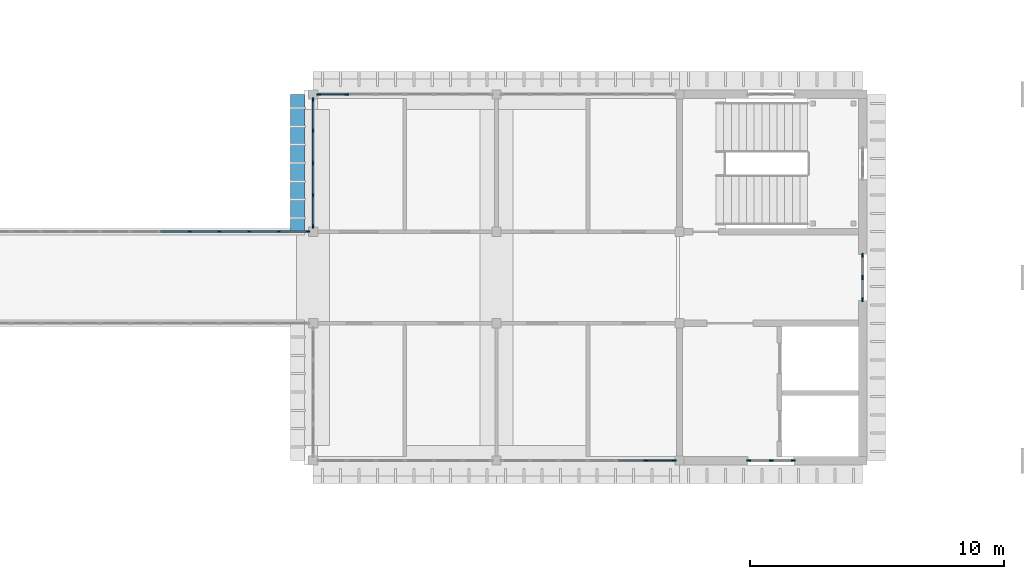
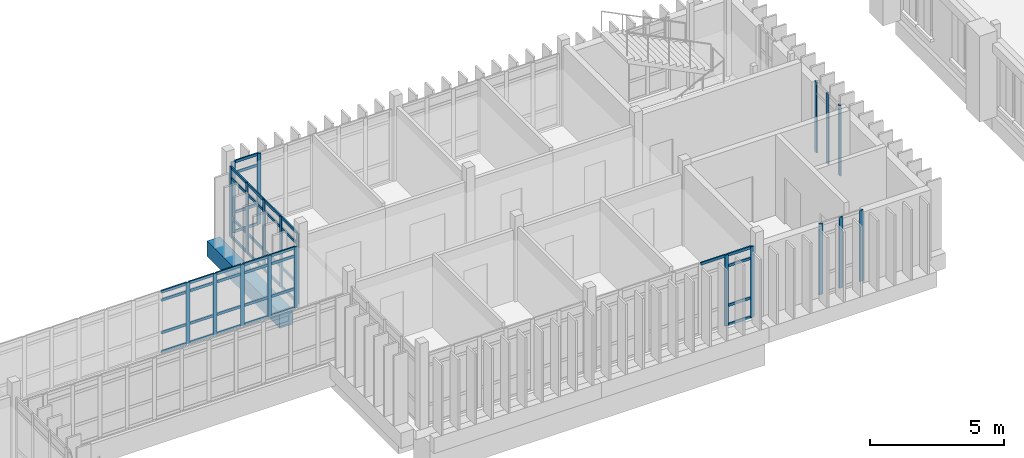
# One storey, part 17 of 69: 66 members, 6 elements without a shape of their own.
"""IFC4 building model written with IfcOpenShell, lengths in metres."""

from ifc_helpers import new_model, si_unit, direction, frame, origin, origin_2d, place, context, subcontext, project, spatial, rectangle, extrude, material, layer, layer_set, material_profile, profile_set, type_object, element, aggregate, save


model = new_model("IFC4")

# Units and contexts
model_context = context("Model", 3, precision=1e-05, world=origin(), true_north=direction((0.0, 1.0)))
body_context = subcontext(model_context, "Body", "Model", "MODEL_VIEW")
ifc_project = project(units=[si_unit("LENGTHUNIT", "METRE"), si_unit("AREAUNIT", "SQUARE_METRE"), si_unit("VOLUMEUNIT", "CUBIC_METRE"), si_unit("PLANEANGLEUNIT", "RADIAN"), si_unit("MASSUNIT", "GRAM", prefix="KILO")], contexts=[model_context])

# Site, building, storey
site_placement = place(None, origin())
site = spatial("IfcSite", under=ifc_project, at=site_placement, CompositionType="ELEMENT")
building_placement = place(site_placement, origin())
building = spatial("IfcBuilding", under=site, at=building_placement, Name="Mazhai Court Health Centre", CompositionType="ELEMENT")
storey_placement = place(building_placement, frame((0.0, 0.0, 6.300048828125)))
storey = spatial("IfcBuildingStorey", under=building, at=storey_placement, Name="L01", CompositionType="ELEMENT", Elevation=6.300048828125)

# Curtain wall, members
ifc_material_1 = material(Name="Teak timber frame, glazed", Category="wood")
ifc_layer_1 = layer(ifc_material_1, 0.10009765625)
ifc_layer_set_1 = layer_set([ifc_layer_1], Name="CURTAIN WALL TIMBER 900")
curtain_wall_type_1 = type_object("IfcCurtainWallType", Name="CURTAIN WALL TIMBER 900", PredefinedType="NOTDEFINED", material=ifc_layer_set_1)
curtain_wall_1_placement = place(storey_placement, origin())
curtain_wall_1 = element("IfcCurtainWall", 1, at=curtain_wall_1_placement, inside=storey, type_object=curtain_wall_type_1, Name="CW-V4-L01-A7", PredefinedType="NOTDEFINED")
ifc_material_2 = material(Name="Teak timber", Category="wood")
ifc_material_profile_1 = material_profile(ifc_material_2, rectangle(XDim=0.06005859375, YDim=0.159912109375, at=origin_2d()), Name="CW MULLION 60x160")
ifc_profile_set_1 = profile_set([ifc_material_profile_1], Name="Teak timber")
member_type_1 = type_object("IfcMemberType", Name="CW MULLION 60x160", PredefinedType="MULLION", material=ifc_profile_set_1)
member_1_placement = place(storey_placement, frame((125.8701171875, 13.39990234375, 0.0), z_axis=(0.0, 0.0, 1.0), x_axis=(0.0, -1.0, 0.0)))
member_1 = element("IfcMember", 2, at=member_1_placement, type_object=member_type_1, Name="CW mullion 1", PredefinedType="MULLION", context=body_context, shape_type="SweptSolid", body=[
    extrude(rectangle(XDim=0.06005859375, YDim=0.159912109375, at=origin_2d()), origin(), (0.0, 0.0, 1.0), 3.219970703125),
])
member_2_placement = place(storey_placement, frame((125.0, 13.39990234375, 0.0), z_axis=(0.0, 0.0, 1.0), x_axis=(0.0, -1.0, 0.0)))
member_2 = element("IfcMember", 3, at=member_2_placement, type_object=member_type_1, Name="CW mullion 2", PredefinedType="MULLION", context=body_context, shape_type="SweptSolid", body=[
    extrude(rectangle(XDim=0.06005859375, YDim=0.159912109375, at=origin_2d()), origin(), (0.0, 0.0, 1.0), 3.219970703125),
])
member_3_placement = place(storey_placement, frame((124.1298828125, 13.39990234375, 0.0), z_axis=(0.0, 0.0, 1.0), x_axis=(0.0, -1.0, 0.0)))
member_3 = element("IfcMember", 4, at=member_3_placement, type_object=member_type_1, Name="CW mullion 3", PredefinedType="MULLION", context=body_context, shape_type="SweptSolid", body=[
    extrude(rectangle(XDim=0.06005859375, YDim=0.159912109375, at=origin_2d()), origin(), (0.0, 0.0, 1.0), 3.219970703125),
])
aggregate(curtain_wall_1, [member_1, member_2, member_3])

curtain_wall_2_placement = place(storey_placement, origin())
curtain_wall_2 = element("IfcCurtainWall", 5, at=curtain_wall_2_placement, inside=storey, type_object=curtain_wall_type_1, Name="CW-V4-L01-ELIFT0", PredefinedType="NOTDEFINED")
member_4_placement = place(storey_placement, frame((128.60009765625, 21.469970703125, 0.0), z_axis=(0.0, 0.0, 1.0), x_axis=(1.0, 0.0, 0.0)))
member_4 = element("IfcMember", 6, at=member_4_placement, type_object=member_type_1, Name="CW mullion 1", PredefinedType="MULLION", context=body_context, shape_type="SweptSolid", body=[
    extrude(rectangle(XDim=0.06005859375, YDim=0.159912109375, at=origin_2d()), origin(), (0.0, 0.0, 1.0), 3.199951171875),
])
member_5_placement = place(storey_placement, frame((128.60009765625, 20.60009765625, 0.0), z_axis=(0.0, 0.0, 1.0), x_axis=(1.0, 0.0, 0.0)))
member_5 = element("IfcMember", 7, at=member_5_placement, type_object=member_type_1, Name="CW mullion 2", PredefinedType="MULLION", context=body_context, shape_type="SweptSolid", body=[
    extrude(rectangle(XDim=0.06005859375, YDim=0.159912109375, at=origin_2d()), origin(), (0.0, 0.0, 1.0), 3.199951171875),
])
member_6_placement = place(storey_placement, frame((128.60009765625, 19.72998046875, 0.0), z_axis=(0.0, 0.0, 1.0), x_axis=(1.0, 0.0, 0.0)))
member_6 = element("IfcMember", 8, at=member_6_placement, type_object=member_type_1, Name="CW mullion 3", PredefinedType="MULLION", context=body_context, shape_type="SweptSolid", body=[
    extrude(rectangle(XDim=0.06005859375, YDim=0.159912109375, at=origin_2d()), origin(), (0.0, 0.0, 1.0), 3.199951171875),
])
aggregate(curtain_wall_2, [member_4, member_5, member_6])

ifc_material_3 = material(Name="Teak timber frame, glazed", Category="wood")
ifc_layer_2 = layer(ifc_material_3, 0.10009765625)
ifc_layer_set_2 = layer_set([ifc_layer_2], Name="CURTAIN WALL TIMBER 1200")
curtain_wall_type_2 = type_object("IfcCurtainWallType", Name="CURTAIN WALL TIMBER 1200", PredefinedType="NOTDEFINED", material=ifc_layer_set_2)
curtain_wall_3_placement = place(storey_placement, origin())
curtain_wall_3 = element("IfcCurtainWall", 9, at=curtain_wall_3_placement, inside=storey, type_object=curtain_wall_type_2, Name="CW-V4-L01-A6", PredefinedType="NOTDEFINED")
member_7_placement = place(storey_placement, frame((121.18994140625, 13.39990234375, 0.0), z_axis=(0.0, 0.0, 1.0), x_axis=(0.0, -1.0, 0.0)))
member_7 = element("IfcMember", 10, at=member_7_placement, type_object=member_type_1, Name="CW mullion 1", PredefinedType="MULLION", context=body_context, shape_type="SweptSolid", body=[
    extrude(rectangle(XDim=0.06005859375, YDim=0.159912109375, at=origin_2d()), origin(), (0.0, 0.0, 1.0), 3.219970703125),
])
member_8_placement = place(storey_placement, frame((120.080078125, 13.39990234375, 0.0), z_axis=(0.0, 0.0, 1.0), x_axis=(0.0, -1.0, 0.0)))
member_8 = element("IfcMember", 11, at=member_8_placement, type_object=member_type_1, Name="CW mullion 2", PredefinedType="MULLION", context=body_context, shape_type="SweptSolid", body=[
    extrude(rectangle(XDim=0.06005859375, YDim=0.159912109375, at=origin_2d()), origin(), (0.0, 0.0, 1.0), 3.219970703125),
])

curtain_wall_4_placement = place(storey_placement, origin())
curtain_wall_4 = element("IfcCurtainWall", 12, at=curtain_wall_4_placement, inside=storey, type_object=curtain_wall_type_2, Name="CW-V4-L01-B5", PredefinedType="NOTDEFINED")
member_9_placement = place(storey_placement, frame((107.2099609375, 27.800048828125, 0.0), z_axis=(0.0, 0.0, 1.0), x_axis=(0.0, 1.0, 0.0)))
member_9 = element("IfcMember", 13, at=member_9_placement, type_object=member_type_1, Name="CW mullion 1", PredefinedType="MULLION", context=body_context, shape_type="SweptSolid", body=[
    extrude(rectangle(XDim=0.06005859375, YDim=0.159912109375, at=origin_2d()), origin(), (0.0, 0.0, 1.0), 3.219970703125),
])
member_10_placement = place(storey_placement, frame((108.320068359375, 27.800048828125, 0.0), z_axis=(0.0, 0.0, 1.0), x_axis=(0.0, 1.0, 0.0)))
member_10 = element("IfcMember", 14, at=member_10_placement, type_object=member_type_1, Name="CW mullion 2", PredefinedType="MULLION", context=body_context, shape_type="SweptSolid", body=[
    extrude(rectangle(XDim=0.06005859375, YDim=0.159912109375, at=origin_2d()), origin(), (0.0, 0.0, 1.0), 3.219970703125),
])

curtain_wall_5_placement = place(storey_placement, origin())
curtain_wall_5 = element("IfcCurtainWall", 15, at=curtain_wall_5_placement, inside=storey, type_object=curtain_wall_type_2, Name="CW-V4-L01-CW5-1", PredefinedType="NOTDEFINED")
member_11_placement = place(storey_placement, frame((107.0, 22.610107421875, 0.0), z_axis=(0.0, 0.0, 1.0), x_axis=(-1.0, 0.0, 0.0)))
member_11 = element("IfcMember", 16, at=member_11_placement, type_object=member_type_1, Name="CW mullion 1", PredefinedType="MULLION", context=body_context, shape_type="SweptSolid", body=[
    extrude(rectangle(XDim=0.06005859375, YDim=0.159912109375, at=origin_2d()), origin(), (0.0, 0.0, 1.0), 3.199951171875),
])
member_12_placement = place(storey_placement, frame((107.0, 23.840087890625, 0.0), z_axis=(0.0, 0.0, 1.0), x_axis=(-1.0, 0.0, 0.0)))
member_12 = element("IfcMember", 17, at=member_12_placement, type_object=member_type_1, Name="CW mullion 2", PredefinedType="MULLION", context=body_context, shape_type="SweptSolid", body=[
    extrude(rectangle(XDim=0.06005859375, YDim=0.159912109375, at=origin_2d()), origin(), (0.0, 0.0, 1.0), 3.199951171875),
])
member_13_placement = place(storey_placement, frame((107.0, 25.10009765625, 0.0), z_axis=(0.0, 0.0, 1.0), x_axis=(-1.0, 0.0, 0.0)))
member_13 = element("IfcMember", 18, at=member_13_placement, type_object=member_type_1, Name="CW mullion 3", PredefinedType="MULLION", context=body_context, shape_type="SweptSolid", body=[
    extrude(rectangle(XDim=0.06005859375, YDim=0.159912109375, at=origin_2d()), origin(), (0.0, 0.0, 1.0), 3.199951171875),
])
member_14_placement = place(storey_placement, frame((107.0, 26.360107421875, 0.0), z_axis=(0.0, 0.0, 1.0), x_axis=(-1.0, 0.0, 0.0)))
member_14 = element("IfcMember", 19, at=member_14_placement, type_object=member_type_1, Name="CW mullion 4", PredefinedType="MULLION", context=body_context, shape_type="SweptSolid", body=[
    extrude(rectangle(XDim=0.06005859375, YDim=0.159912109375, at=origin_2d()), origin(), (0.0, 0.0, 1.0), 3.199951171875),
])
member_15_placement = place(storey_placement, frame((107.0, 27.590087890625, 0.0), z_axis=(0.0, 0.0, 1.0), x_axis=(-1.0, 0.0, 0.0)))
member_15 = element("IfcMember", 20, at=member_15_placement, type_object=member_type_1, Name="CW mullion 5", PredefinedType="MULLION", context=body_context, shape_type="SweptSolid", body=[
    extrude(rectangle(XDim=0.06005859375, YDim=0.159912109375, at=origin_2d()), origin(), (0.0, 0.0, 1.0), 3.199951171875),
])

curtain_wall_6_placement = place(storey_placement, origin())
curtain_wall_6 = element("IfcCurtainWall", 21, at=curtain_wall_6_placement, inside=storey, type_object=curtain_wall_type_2, Name="CW-BR-LC1-N", PredefinedType="NOTDEFINED")
member_16_placement = place(storey_placement, frame((102.139892578125, 22.39990234375, 0.0), z_axis=(0.0, 0.0, 1.0), x_axis=(0.0, 1.0, 0.0)))
member_16 = element("IfcMember", 22, at=member_16_placement, type_object=member_type_1, Name="CW mullion 9", PredefinedType="MULLION", context=body_context, shape_type="SweptSolid", body=[
    extrude(rectangle(XDim=0.06005859375, YDim=0.159912109375, at=origin_2d()), origin(), (0.0, 0.0, 1.0), 2.780029296875),
])
member_17_placement = place(storey_placement, frame((103.31005859375, 22.39990234375, 0.0), z_axis=(0.0, 0.0, 1.0), x_axis=(0.0, 1.0, 0.0)))
member_17 = element("IfcMember", 23, at=member_17_placement, type_object=member_type_1, Name="CW mullion 10", PredefinedType="MULLION", context=body_context, shape_type="SweptSolid", body=[
    extrude(rectangle(XDim=0.06005859375, YDim=0.159912109375, at=origin_2d()), origin(), (0.0, 0.0, 1.0), 2.780029296875),
])
member_18_placement = place(storey_placement, frame((104.47998046875, 22.39990234375, 0.0), z_axis=(0.0, 0.0, 1.0), x_axis=(0.0, 1.0, 0.0)))
member_18 = element("IfcMember", 24, at=member_18_placement, type_object=member_type_1, Name="CW mullion 11", PredefinedType="MULLION", context=body_context, shape_type="SweptSolid", body=[
    extrude(rectangle(XDim=0.06005859375, YDim=0.159912109375, at=origin_2d()), origin(), (0.0, 0.0, 1.0), 2.780029296875),
])
member_19_placement = place(storey_placement, frame((105.64990234375, 22.39990234375, 0.0), z_axis=(0.0, 0.0, 1.0), x_axis=(0.0, 1.0, 0.0)))
member_19 = element("IfcMember", 25, at=member_19_placement, type_object=member_type_1, Name="CW mullion 12", PredefinedType="MULLION", context=body_context, shape_type="SweptSolid", body=[
    extrude(rectangle(XDim=0.06005859375, YDim=0.159912109375, at=origin_2d()), origin(), (0.0, 0.0, 1.0), 2.780029296875),
])
member_20_placement = place(storey_placement, frame((106.7900390625, 22.39990234375, 0.0), z_axis=(0.0, 0.0, 1.0), x_axis=(0.0, 1.0, 0.0)))
member_20 = element("IfcMember", 26, at=member_20_placement, type_object=member_type_1, Name="CW mullion 13", PredefinedType="MULLION", context=body_context, shape_type="SweptSolid", body=[
    extrude(rectangle(XDim=0.06005859375, YDim=0.159912109375, at=origin_2d()), origin(), (0.0, 0.0, 1.0), 2.780029296875),
])

# Member
ifc_material_4 = material(Name="Teak timber", Category="wood")
ifc_material_profile_2 = material_profile(ifc_material_4, rectangle(XDim=0.06005859375, YDim=0.1201171875, at=origin_2d()), Name="CW TRANSOM 60x120")
ifc_profile_set_2 = profile_set([ifc_material_profile_2], Name="Teak timber")
member_type_2 = type_object("IfcMemberType", Name="CW TRANSOM 60x120", PredefinedType="USERDEFINED", material=ifc_profile_set_2)
member_21_placement = place(storey_placement, frame((121.159912109375, 13.39990234375, 0.030029296875), z_axis=(-1.0, 0.0, 0.0), x_axis=(0.0, -1.0, 0.0)))
member_21 = element("IfcMember", 27, at=member_21_placement, type_object=member_type_2, Name="CW transom 1.1", ObjectType="TRANSOM", PredefinedType="USERDEFINED", context=body_context, shape_type="SweptSolid", body=[
    extrude(rectangle(XDim=0.06005859375, YDim=0.1201171875, at=origin_2d()), origin(), (0.0, 0.0, 1.0), 1.0498046875),
])

member_22_placement = place(storey_placement, frame((121.159912109375, 13.39990234375, 0.89990234375), z_axis=(-1.0, 0.0, 0.0), x_axis=(0.0, -1.0, 0.0)))
member_22 = element("IfcMember", 28, at=member_22_placement, type_object=member_type_2, Name="CW transom 1.2", ObjectType="TRANSOM", PredefinedType="USERDEFINED", context=body_context, shape_type="SweptSolid", body=[
    extrude(rectangle(XDim=0.06005859375, YDim=0.1201171875, at=origin_2d()), origin(), (0.0, 0.0, 1.0), 1.0498046875),
])

member_23_placement = place(storey_placement, frame((121.159912109375, 13.39990234375, 2.699951171875), z_axis=(-1.0, 0.0, 0.0), x_axis=(0.0, -1.0, 0.0)))
member_23 = element("IfcMember", 29, at=member_23_placement, type_object=member_type_2, Name="CW transom 1.3", ObjectType="TRANSOM", PredefinedType="USERDEFINED", context=body_context, shape_type="SweptSolid", body=[
    extrude(rectangle(XDim=0.06005859375, YDim=0.1201171875, at=origin_2d()), origin(), (0.0, 0.0, 1.0), 1.0498046875),
])

member_24_placement = place(storey_placement, frame((121.159912109375, 13.39990234375, 3.18994140625), z_axis=(-1.0, 0.0, 0.0), x_axis=(0.0, -1.0, 0.0)))
member_24 = element("IfcMember", 30, at=member_24_placement, type_object=member_type_2, Name="CW transom 1.4", ObjectType="TRANSOM", PredefinedType="USERDEFINED", context=body_context, shape_type="SweptSolid", body=[
    extrude(rectangle(XDim=0.06005859375, YDim=0.1201171875, at=origin_2d()), origin(), (0.0, 0.0, 1.0), 1.0498046875),
])

member_25_placement = place(storey_placement, frame((120.050048828125, 13.39990234375, 3.18994140625), z_axis=(-1.0, 0.0, 0.0), x_axis=(0.0, -1.0, 0.0)))
member_25 = element("IfcMember", 31, at=member_25_placement, type_object=member_type_2, Name="CW transom 2.4", ObjectType="TRANSOM", PredefinedType="USERDEFINED", context=body_context, shape_type="SweptSolid", body=[
    extrude(rectangle(XDim=0.06005859375, YDim=0.1201171875, at=origin_2d()), origin(), (0.0, 0.0, 1.0), 1.080078125),
])

aggregate(curtain_wall_3, [member_7, member_8, member_21, member_22, member_23, member_24, member_25])

member_26_placement = place(storey_placement, frame((107.239990234375, 27.800048828125, 0.030029296875), z_axis=(1.0, 0.0, 0.0), x_axis=(0.0, 1.0, 0.0)))
member_26 = element("IfcMember", 32, at=member_26_placement, type_object=member_type_2, Name="CW transom 1.1", ObjectType="TRANSOM", PredefinedType="USERDEFINED", context=body_context, shape_type="SweptSolid", body=[
    extrude(rectangle(XDim=0.06005859375, YDim=0.1201171875, at=origin_2d()), origin(), (0.0, 0.0, 1.0), 1.050048828125),
])

member_27_placement = place(storey_placement, frame((107.239990234375, 27.800048828125, 0.89990234375), z_axis=(1.0, 0.0, 0.0), x_axis=(0.0, 1.0, 0.0)))
member_27 = element("IfcMember", 33, at=member_27_placement, type_object=member_type_2, Name="CW transom 1.2", ObjectType="TRANSOM", PredefinedType="USERDEFINED", context=body_context, shape_type="SweptSolid", body=[
    extrude(rectangle(XDim=0.06005859375, YDim=0.1201171875, at=origin_2d()), origin(), (0.0, 0.0, 1.0), 1.050048828125),
])

member_28_placement = place(storey_placement, frame((107.239990234375, 27.800048828125, 2.699951171875), z_axis=(1.0, 0.0, 0.0), x_axis=(0.0, 1.0, 0.0)))
member_28 = element("IfcMember", 34, at=member_28_placement, type_object=member_type_2, Name="CW transom 1.3", ObjectType="TRANSOM", PredefinedType="USERDEFINED", context=body_context, shape_type="SweptSolid", body=[
    extrude(rectangle(XDim=0.06005859375, YDim=0.1201171875, at=origin_2d()), origin(), (0.0, 0.0, 1.0), 1.050048828125),
])

member_29_placement = place(storey_placement, frame((107.239990234375, 27.800048828125, 3.18994140625), z_axis=(1.0, 0.0, 0.0), x_axis=(0.0, 1.0, 0.0)))
member_29 = element("IfcMember", 35, at=member_29_placement, type_object=member_type_2, Name="CW transom 1.4", ObjectType="TRANSOM", PredefinedType="USERDEFINED", context=body_context, shape_type="SweptSolid", body=[
    extrude(rectangle(XDim=0.06005859375, YDim=0.1201171875, at=origin_2d()), origin(), (0.0, 0.0, 1.0), 1.050048828125),
])

aggregate(curtain_wall_4, [member_9, member_10, member_26, member_27, member_28, member_29])

member_30_placement = place(storey_placement, frame((107.0, 22.639892578125, 0.030029296875), z_axis=(0.0, 1.0, 0.0), x_axis=(-1.0, 0.0, 0.0)))
member_30 = element("IfcMember", 36, at=member_30_placement, type_object=member_type_2, Name="CW transom 1.1", ObjectType="TRANSOM", PredefinedType="USERDEFINED", context=body_context, shape_type="SweptSolid", body=[
    extrude(rectangle(XDim=0.06005859375, YDim=0.1201171875, at=origin_2d()), origin(), (0.0, 0.0, 1.0), 1.170166015625),
])

member_31_placement = place(storey_placement, frame((107.0, 22.639892578125, 0.89990234375), z_axis=(0.0, 1.0, 0.0), x_axis=(-1.0, 0.0, 0.0)))
member_31 = element("IfcMember", 37, at=member_31_placement, type_object=member_type_2, Name="CW transom 1.2", ObjectType="TRANSOM", PredefinedType="USERDEFINED", context=body_context, shape_type="SweptSolid", body=[
    extrude(rectangle(XDim=0.06005859375, YDim=0.1201171875, at=origin_2d()), origin(), (0.0, 0.0, 1.0), 1.170166015625),
])

member_32_placement = place(storey_placement, frame((107.0, 22.639892578125, 2.699951171875), z_axis=(0.0, 1.0, 0.0), x_axis=(-1.0, 0.0, 0.0)))
member_32 = element("IfcMember", 38, at=member_32_placement, type_object=member_type_2, Name="CW transom 1.3", ObjectType="TRANSOM", PredefinedType="USERDEFINED", context=body_context, shape_type="SweptSolid", body=[
    extrude(rectangle(XDim=0.06005859375, YDim=0.1201171875, at=origin_2d()), origin(), (0.0, 0.0, 1.0), 1.170166015625),
])

member_33_placement = place(storey_placement, frame((107.0, 22.639892578125, 3.169921875), z_axis=(0.0, 1.0, 0.0), x_axis=(-1.0, 0.0, 0.0)))
member_33 = element("IfcMember", 39, at=member_33_placement, type_object=member_type_2, Name="CW transom 1.4", ObjectType="TRANSOM", PredefinedType="USERDEFINED", context=body_context, shape_type="SweptSolid", body=[
    extrude(rectangle(XDim=0.06005859375, YDim=0.1201171875, at=origin_2d()), origin(), (0.0, 0.0, 1.0), 1.170166015625),
])

member_34_placement = place(storey_placement, frame((107.0, 23.8701171875, 0.030029296875), z_axis=(0.0, 1.0, 0.0), x_axis=(-1.0, 0.0, 0.0)))
member_34 = element("IfcMember", 40, at=member_34_placement, type_object=member_type_2, Name="CW transom 2.1", ObjectType="TRANSOM", PredefinedType="USERDEFINED", context=body_context, shape_type="SweptSolid", body=[
    extrude(rectangle(XDim=0.06005859375, YDim=0.1201171875, at=origin_2d()), origin(), (0.0, 0.0, 1.0), 1.199951171875),
])

member_35_placement = place(storey_placement, frame((107.0, 23.8701171875, 0.89990234375), z_axis=(0.0, 1.0, 0.0), x_axis=(-1.0, 0.0, 0.0)))
member_35 = element("IfcMember", 41, at=member_35_placement, type_object=member_type_2, Name="CW transom 2.2", ObjectType="TRANSOM", PredefinedType="USERDEFINED", context=body_context, shape_type="SweptSolid", body=[
    extrude(rectangle(XDim=0.06005859375, YDim=0.1201171875, at=origin_2d()), origin(), (0.0, 0.0, 1.0), 1.199951171875),
])

member_36_placement = place(storey_placement, frame((107.0, 23.8701171875, 2.699951171875), z_axis=(0.0, 1.0, 0.0), x_axis=(-1.0, 0.0, 0.0)))
member_36 = element("IfcMember", 42, at=member_36_placement, type_object=member_type_2, Name="CW transom 2.3", ObjectType="TRANSOM", PredefinedType="USERDEFINED", context=body_context, shape_type="SweptSolid", body=[
    extrude(rectangle(XDim=0.06005859375, YDim=0.1201171875, at=origin_2d()), origin(), (0.0, 0.0, 1.0), 1.199951171875),
])

member_37_placement = place(storey_placement, frame((107.0, 23.8701171875, 3.169921875), z_axis=(0.0, 1.0, 0.0), x_axis=(-1.0, 0.0, 0.0)))
member_37 = element("IfcMember", 43, at=member_37_placement, type_object=member_type_2, Name="CW transom 2.4", ObjectType="TRANSOM", PredefinedType="USERDEFINED", context=body_context, shape_type="SweptSolid", body=[
    extrude(rectangle(XDim=0.06005859375, YDim=0.1201171875, at=origin_2d()), origin(), (0.0, 0.0, 1.0), 1.199951171875),
])

member_38_placement = place(storey_placement, frame((107.0, 25.1298828125, 0.030029296875), z_axis=(0.0, 1.0, 0.0), x_axis=(-1.0, 0.0, 0.0)))
member_38 = element("IfcMember", 44, at=member_38_placement, type_object=member_type_2, Name="CW transom 3.1", ObjectType="TRANSOM", PredefinedType="USERDEFINED", context=body_context, shape_type="SweptSolid", body=[
    extrude(rectangle(XDim=0.06005859375, YDim=0.1201171875, at=origin_2d()), origin(), (0.0, 0.0, 1.0), 1.2001953125),
])

member_39_placement = place(storey_placement, frame((107.0, 25.1298828125, 0.89990234375), z_axis=(0.0, 1.0, 0.0), x_axis=(-1.0, 0.0, 0.0)))
member_39 = element("IfcMember", 45, at=member_39_placement, type_object=member_type_2, Name="CW transom 3.2", ObjectType="TRANSOM", PredefinedType="USERDEFINED", context=body_context, shape_type="SweptSolid", body=[
    extrude(rectangle(XDim=0.06005859375, YDim=0.1201171875, at=origin_2d()), origin(), (0.0, 0.0, 1.0), 1.2001953125),
])

member_40_placement = place(storey_placement, frame((107.0, 25.1298828125, 2.699951171875), z_axis=(0.0, 1.0, 0.0), x_axis=(-1.0, 0.0, 0.0)))
member_40 = element("IfcMember", 46, at=member_40_placement, type_object=member_type_2, Name="CW transom 3.3", ObjectType="TRANSOM", PredefinedType="USERDEFINED", context=body_context, shape_type="SweptSolid", body=[
    extrude(rectangle(XDim=0.06005859375, YDim=0.1201171875, at=origin_2d()), origin(), (0.0, 0.0, 1.0), 1.2001953125),
])

member_41_placement = place(storey_placement, frame((107.0, 25.1298828125, 3.169921875), z_axis=(0.0, 1.0, 0.0), x_axis=(-1.0, 0.0, 0.0)))
member_41 = element("IfcMember", 47, at=member_41_placement, type_object=member_type_2, Name="CW transom 3.4", ObjectType="TRANSOM", PredefinedType="USERDEFINED", context=body_context, shape_type="SweptSolid", body=[
    extrude(rectangle(XDim=0.06005859375, YDim=0.1201171875, at=origin_2d()), origin(), (0.0, 0.0, 1.0), 1.2001953125),
])

member_42_placement = place(storey_placement, frame((107.0, 26.389892578125, 0.030029296875), z_axis=(0.0, 1.0, 0.0), x_axis=(-1.0, 0.0, 0.0)))
member_42 = element("IfcMember", 48, at=member_42_placement, type_object=member_type_2, Name="CW transom 4.1", ObjectType="TRANSOM", PredefinedType="USERDEFINED", context=body_context, shape_type="SweptSolid", body=[
    extrude(rectangle(XDim=0.06005859375, YDim=0.1201171875, at=origin_2d()), origin(), (0.0, 0.0, 1.0), 1.170166015625),
])

member_43_placement = place(storey_placement, frame((107.0, 26.389892578125, 0.89990234375), z_axis=(0.0, 1.0, 0.0), x_axis=(-1.0, 0.0, 0.0)))
member_43 = element("IfcMember", 49, at=member_43_placement, type_object=member_type_2, Name="CW transom 4.2", ObjectType="TRANSOM", PredefinedType="USERDEFINED", context=body_context, shape_type="SweptSolid", body=[
    extrude(rectangle(XDim=0.06005859375, YDim=0.1201171875, at=origin_2d()), origin(), (0.0, 0.0, 1.0), 1.170166015625),
])

member_44_placement = place(storey_placement, frame((107.0, 26.389892578125, 2.699951171875), z_axis=(0.0, 1.0, 0.0), x_axis=(-1.0, 0.0, 0.0)))
member_44 = element("IfcMember", 50, at=member_44_placement, type_object=member_type_2, Name="CW transom 4.3", ObjectType="TRANSOM", PredefinedType="USERDEFINED", context=body_context, shape_type="SweptSolid", body=[
    extrude(rectangle(XDim=0.06005859375, YDim=0.1201171875, at=origin_2d()), origin(), (0.0, 0.0, 1.0), 1.170166015625),
])

member_45_placement = place(storey_placement, frame((107.0, 26.389892578125, 3.169921875), z_axis=(0.0, 1.0, 0.0), x_axis=(-1.0, 0.0, 0.0)))
member_45 = element("IfcMember", 51, at=member_45_placement, type_object=member_type_2, Name="CW transom 4.4", ObjectType="TRANSOM", PredefinedType="USERDEFINED", context=body_context, shape_type="SweptSolid", body=[
    extrude(rectangle(XDim=0.06005859375, YDim=0.1201171875, at=origin_2d()), origin(), (0.0, 0.0, 1.0), 1.170166015625),
])

aggregate(curtain_wall_5, [member_11, member_12, member_13, member_14, member_15, member_30, member_31, member_32, member_33, member_34, member_35, member_36, member_37, member_38, member_39, member_40, member_41, member_42, member_43, member_44, member_45])

member_46_placement = place(storey_placement, frame((101.0, 22.39990234375, 0.030029296875), z_axis=(1.0, 0.0, 0.0), x_axis=(0.0, 1.0, 0.0)))
member_46 = element("IfcMember", 52, at=member_46_placement, type_object=member_type_2, Name="CW transom 8.1", ObjectType="TRANSOM", PredefinedType="USERDEFINED", context=body_context, shape_type="SweptSolid", body=[
    extrude(rectangle(XDim=0.06005859375, YDim=0.1201171875, at=origin_2d()), origin(), (0.0, 0.0, 1.0), 1.110107421875),
])

member_47_placement = place(storey_placement, frame((101.0, 22.39990234375, 0.89990234375), z_axis=(1.0, 0.0, 0.0), x_axis=(0.0, 1.0, 0.0)))
member_47 = element("IfcMember", 53, at=member_47_placement, type_object=member_type_2, Name="CW transom 8.2", ObjectType="TRANSOM", PredefinedType="USERDEFINED", context=body_context, shape_type="SweptSolid", body=[
    extrude(rectangle(XDim=0.06005859375, YDim=0.1201171875, at=origin_2d()), origin(), (0.0, 0.0, 1.0), 1.110107421875),
])

member_48_placement = place(storey_placement, frame((101.0, 22.39990234375, 2.3798828125), z_axis=(1.0, 0.0, 0.0), x_axis=(0.0, 1.0, 0.0)))
member_48 = element("IfcMember", 54, at=member_48_placement, type_object=member_type_2, Name="CW transom 8.3", ObjectType="TRANSOM", PredefinedType="USERDEFINED", context=body_context, shape_type="SweptSolid", body=[
    extrude(rectangle(XDim=0.06005859375, YDim=0.1201171875, at=origin_2d()), origin(), (0.0, 0.0, 1.0), 1.110107421875),
])

member_49_placement = place(storey_placement, frame((101.0, 22.39990234375, 2.75), z_axis=(1.0, 0.0, 0.0), x_axis=(0.0, 1.0, 0.0)))
member_49 = element("IfcMember", 55, at=member_49_placement, type_object=member_type_2, Name="CW transom 8.4", ObjectType="TRANSOM", PredefinedType="USERDEFINED", context=body_context, shape_type="SweptSolid", body=[
    extrude(rectangle(XDim=0.06005859375, YDim=0.1201171875, at=origin_2d()), origin(), (0.0, 0.0, 1.0), 1.110107421875),
])

member_50_placement = place(storey_placement, frame((102.169921875, 22.39990234375, 0.030029296875), z_axis=(1.0, 0.0, 0.0), x_axis=(0.0, 1.0, 0.0)))
member_50 = element("IfcMember", 56, at=member_50_placement, type_object=member_type_2, Name="CW transom 9.1", ObjectType="TRANSOM", PredefinedType="USERDEFINED", context=body_context, shape_type="SweptSolid", body=[
    extrude(rectangle(XDim=0.06005859375, YDim=0.1201171875, at=origin_2d()), origin(), (0.0, 0.0, 1.0), 1.110107421875),
])

member_51_placement = place(storey_placement, frame((102.169921875, 22.39990234375, 0.89990234375), z_axis=(1.0, 0.0, 0.0), x_axis=(0.0, 1.0, 0.0)))
member_51 = element("IfcMember", 57, at=member_51_placement, type_object=member_type_2, Name="CW transom 9.2", ObjectType="TRANSOM", PredefinedType="USERDEFINED", context=body_context, shape_type="SweptSolid", body=[
    extrude(rectangle(XDim=0.06005859375, YDim=0.1201171875, at=origin_2d()), origin(), (0.0, 0.0, 1.0), 1.110107421875),
])

member_52_placement = place(storey_placement, frame((102.169921875, 22.39990234375, 2.3798828125), z_axis=(1.0, 0.0, 0.0), x_axis=(0.0, 1.0, 0.0)))
member_52 = element("IfcMember", 58, at=member_52_placement, type_object=member_type_2, Name="CW transom 9.3", ObjectType="TRANSOM", PredefinedType="USERDEFINED", context=body_context, shape_type="SweptSolid", body=[
    extrude(rectangle(XDim=0.06005859375, YDim=0.1201171875, at=origin_2d()), origin(), (0.0, 0.0, 1.0), 1.110107421875),
])

member_53_placement = place(storey_placement, frame((102.169921875, 22.39990234375, 2.75), z_axis=(1.0, 0.0, 0.0), x_axis=(0.0, 1.0, 0.0)))
member_53 = element("IfcMember", 59, at=member_53_placement, type_object=member_type_2, Name="CW transom 9.4", ObjectType="TRANSOM", PredefinedType="USERDEFINED", context=body_context, shape_type="SweptSolid", body=[
    extrude(rectangle(XDim=0.06005859375, YDim=0.1201171875, at=origin_2d()), origin(), (0.0, 0.0, 1.0), 1.110107421875),
])

member_54_placement = place(storey_placement, frame((103.340087890625, 22.39990234375, 0.030029296875), z_axis=(1.0, 0.0, 0.0), x_axis=(0.0, 1.0, 0.0)))
member_54 = element("IfcMember", 60, at=member_54_placement, type_object=member_type_2, Name="CW transom 10.1", ObjectType="TRANSOM", PredefinedType="USERDEFINED", context=body_context, shape_type="SweptSolid", body=[
    extrude(rectangle(XDim=0.06005859375, YDim=0.1201171875, at=origin_2d()), origin(), (0.0, 0.0, 1.0), 1.10986328125),
])

member_55_placement = place(storey_placement, frame((103.340087890625, 22.39990234375, 0.89990234375), z_axis=(1.0, 0.0, 0.0), x_axis=(0.0, 1.0, 0.0)))
member_55 = element("IfcMember", 61, at=member_55_placement, type_object=member_type_2, Name="CW transom 10.2", ObjectType="TRANSOM", PredefinedType="USERDEFINED", context=body_context, shape_type="SweptSolid", body=[
    extrude(rectangle(XDim=0.06005859375, YDim=0.1201171875, at=origin_2d()), origin(), (0.0, 0.0, 1.0), 1.10986328125),
])

member_56_placement = place(storey_placement, frame((103.340087890625, 22.39990234375, 2.3798828125), z_axis=(1.0, 0.0, 0.0), x_axis=(0.0, 1.0, 0.0)))
member_56 = element("IfcMember", 62, at=member_56_placement, type_object=member_type_2, Name="CW transom 10.3", ObjectType="TRANSOM", PredefinedType="USERDEFINED", context=body_context, shape_type="SweptSolid", body=[
    extrude(rectangle(XDim=0.06005859375, YDim=0.1201171875, at=origin_2d()), origin(), (0.0, 0.0, 1.0), 1.10986328125),
])

member_57_placement = place(storey_placement, frame((103.340087890625, 22.39990234375, 2.75), z_axis=(1.0, 0.0, 0.0), x_axis=(0.0, 1.0, 0.0)))
member_57 = element("IfcMember", 63, at=member_57_placement, type_object=member_type_2, Name="CW transom 10.4", ObjectType="TRANSOM", PredefinedType="USERDEFINED", context=body_context, shape_type="SweptSolid", body=[
    extrude(rectangle(XDim=0.06005859375, YDim=0.1201171875, at=origin_2d()), origin(), (0.0, 0.0, 1.0), 1.10986328125),
])

member_58_placement = place(storey_placement, frame((104.510009765625, 22.39990234375, 0.030029296875), z_axis=(1.0, 0.0, 0.0), x_axis=(0.0, 1.0, 0.0)))
member_58 = element("IfcMember", 64, at=member_58_placement, type_object=member_type_2, Name="CW transom 11.1", ObjectType="TRANSOM", PredefinedType="USERDEFINED", context=body_context, shape_type="SweptSolid", body=[
    extrude(rectangle(XDim=0.06005859375, YDim=0.1201171875, at=origin_2d()), origin(), (0.0, 0.0, 1.0), 1.110107421875),
])

member_59_placement = place(storey_placement, frame((104.510009765625, 22.39990234375, 0.89990234375), z_axis=(1.0, 0.0, 0.0), x_axis=(0.0, 1.0, 0.0)))
member_59 = element("IfcMember", 65, at=member_59_placement, type_object=member_type_2, Name="CW transom 11.2", ObjectType="TRANSOM", PredefinedType="USERDEFINED", context=body_context, shape_type="SweptSolid", body=[
    extrude(rectangle(XDim=0.06005859375, YDim=0.1201171875, at=origin_2d()), origin(), (0.0, 0.0, 1.0), 1.110107421875),
])

member_60_placement = place(storey_placement, frame((104.510009765625, 22.39990234375, 2.3798828125), z_axis=(1.0, 0.0, 0.0), x_axis=(0.0, 1.0, 0.0)))
member_60 = element("IfcMember", 66, at=member_60_placement, type_object=member_type_2, Name="CW transom 11.3", ObjectType="TRANSOM", PredefinedType="USERDEFINED", context=body_context, shape_type="SweptSolid", body=[
    extrude(rectangle(XDim=0.06005859375, YDim=0.1201171875, at=origin_2d()), origin(), (0.0, 0.0, 1.0), 1.110107421875),
])

member_61_placement = place(storey_placement, frame((104.510009765625, 22.39990234375, 2.75), z_axis=(1.0, 0.0, 0.0), x_axis=(0.0, 1.0, 0.0)))
member_61 = element("IfcMember", 67, at=member_61_placement, type_object=member_type_2, Name="CW transom 11.4", ObjectType="TRANSOM", PredefinedType="USERDEFINED", context=body_context, shape_type="SweptSolid", body=[
    extrude(rectangle(XDim=0.06005859375, YDim=0.1201171875, at=origin_2d()), origin(), (0.0, 0.0, 1.0), 1.110107421875),
])

member_62_placement = place(storey_placement, frame((105.679931640625, 22.39990234375, 0.030029296875), z_axis=(1.0, 0.0, 0.0), x_axis=(0.0, 1.0, 0.0)))
member_62 = element("IfcMember", 68, at=member_62_placement, type_object=member_type_2, Name="CW transom 12.1", ObjectType="TRANSOM", PredefinedType="USERDEFINED", context=body_context, shape_type="SweptSolid", body=[
    extrude(rectangle(XDim=0.06005859375, YDim=0.1201171875, at=origin_2d()), origin(), (0.0, 0.0, 1.0), 1.080078125),
])

member_63_placement = place(storey_placement, frame((105.679931640625, 22.39990234375, 0.89990234375), z_axis=(1.0, 0.0, 0.0), x_axis=(0.0, 1.0, 0.0)))
member_63 = element("IfcMember", 69, at=member_63_placement, type_object=member_type_2, Name="CW transom 12.2", ObjectType="TRANSOM", PredefinedType="USERDEFINED", context=body_context, shape_type="SweptSolid", body=[
    extrude(rectangle(XDim=0.06005859375, YDim=0.1201171875, at=origin_2d()), origin(), (0.0, 0.0, 1.0), 1.080078125),
])

member_64_placement = place(storey_placement, frame((105.679931640625, 22.39990234375, 2.3798828125), z_axis=(1.0, 0.0, 0.0), x_axis=(0.0, 1.0, 0.0)))
member_64 = element("IfcMember", 70, at=member_64_placement, type_object=member_type_2, Name="CW transom 12.3", ObjectType="TRANSOM", PredefinedType="USERDEFINED", context=body_context, shape_type="SweptSolid", body=[
    extrude(rectangle(XDim=0.06005859375, YDim=0.1201171875, at=origin_2d()), origin(), (0.0, 0.0, 1.0), 1.080078125),
])

member_65_placement = place(storey_placement, frame((105.679931640625, 22.39990234375, 2.75), z_axis=(1.0, 0.0, 0.0), x_axis=(0.0, 1.0, 0.0)))
member_65 = element("IfcMember", 71, at=member_65_placement, type_object=member_type_2, Name="CW transom 12.4", ObjectType="TRANSOM", PredefinedType="USERDEFINED", context=body_context, shape_type="SweptSolid", body=[
    extrude(rectangle(XDim=0.06005859375, YDim=0.1201171875, at=origin_2d()), origin(), (0.0, 0.0, 1.0), 1.080078125),
])

aggregate(curtain_wall_6, [member_16, member_17, member_18, member_19, member_20, member_46, member_47, member_48, member_49, member_50, member_51, member_52, member_53, member_54, member_55, member_56, member_57, member_58, member_59, member_60, member_61, member_62, member_63, member_64, member_65])

ifc_material_5 = material(Name="Glulam GL24h", Category="wood")
ifc_material_profile_3 = material_profile(ifc_material_5, rectangle(XDim=0.550048828125, YDim=0.699951171875, at=origin_2d()), Name="FIN RAIL 550x700")
ifc_profile_set_3 = profile_set([ifc_material_profile_3], Name="Glulam GL24h")
member_type_3 = type_object("IfcMemberType", Name="FIN RAIL 550x700", PredefinedType="USERDEFINED", material=ifc_profile_set_3)
member_66_placement = place(storey_placement, frame((106.375, 22.39990234375, -0.35009765625), z_axis=(0.0, 1.0, 0.0), x_axis=(-1.0, 0.0, 0.0)))
element("IfcMember", 72, at=member_66_placement, inside=storey, type_object=member_type_3, Name="FR-V4-CW5-1-L01", ObjectType="FIN RAIL", PredefinedType="USERDEFINED", context=body_context, shape_type="SweptSolid", body=[
    extrude(rectangle(XDim=0.550048828125, YDim=0.699951171875, at=origin_2d()), origin(), (0.0, 0.0, 1.0), 5.400146484375),
])

save(model, "model.ifc")
